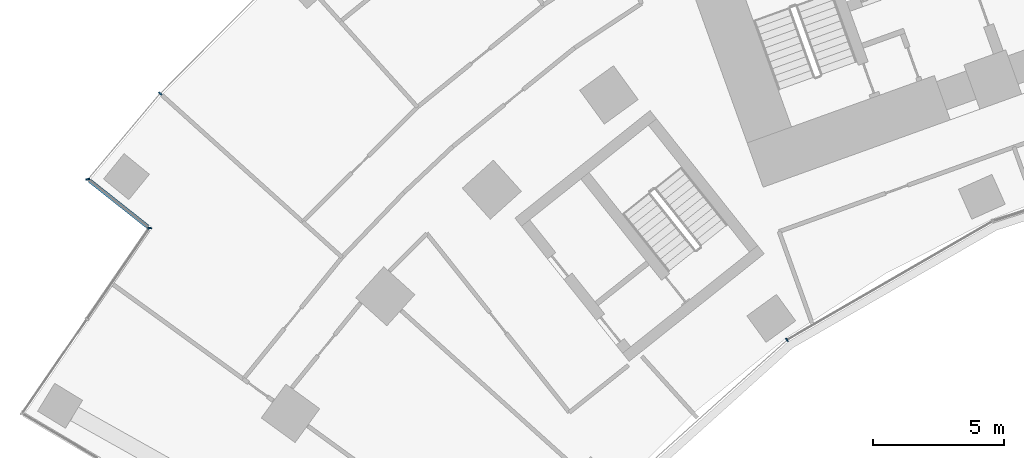
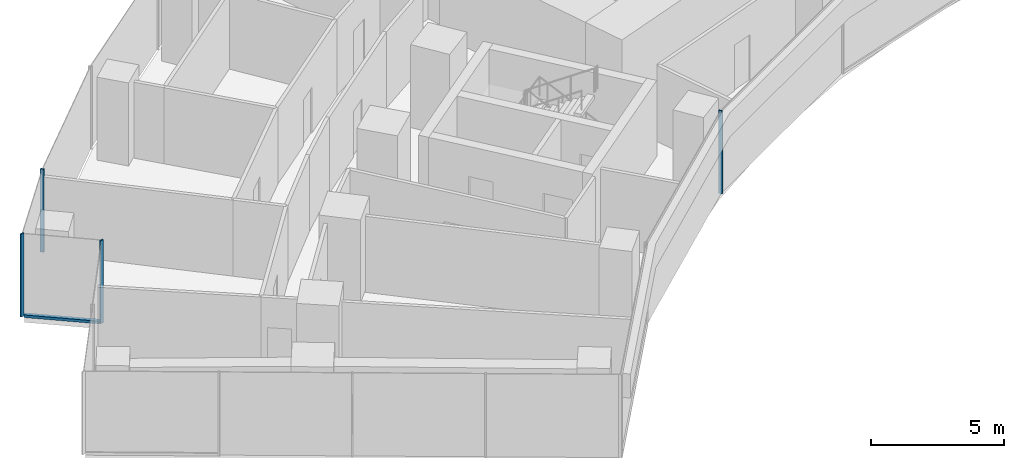
# One storey, part 3 of 21: 5 members, 4 elements without a shape of their own.
"""IFC4 building model written with IfcOpenShell, lengths in metres."""

import ifcopenshell
import ifcopenshell.guid

model = None  # the IFC model being written
_history = None  # IfcOwnerHistory: only IFC2X3 demands one
_inside = {}  # id of a spatial element -> (the spatial element, [elements in it])
_under = {}  # id of a project, library or spatial element -> (it, [spatial elements below it])
_declared = {}  # id of a project -> (the project, [libraries it declares])
_typed = {}  # id of a type object -> (the type object, [elements of that type])
_made_of = {}  # id of a material, layer set ... -> (it, [elements and type objects made of it])


def new_model(schema):
    """Start an empty IFC model of exactly this schema.

    Asked for "IFC4X3", IfcOpenShell would pick the latest addendum, in which some entities
    have other attributes; the version numbers below select the first issue.
    IFC2X3 requires an IfcOwnerHistory on every rooted entity: one is made here for all.
    """
    global model, _history
    if schema == "IFC4X3":
        model = ifcopenshell.file(schema_version=(4, 3, 0, 0))
    else:
        model = ifcopenshell.file(schema=schema)
    _inside.clear()
    _under.clear()
    _declared.clear()
    _typed.clear()
    _made_of.clear()
    _history = None
    if model.schema == "IFC2X3":
        org = make("IfcOrganization", Name="unknown")
        user = make(
            "IfcPersonAndOrganization",
            ThePerson=make("IfcPerson", FamilyName="unknown"),
            TheOrganization=org,
        )
        app = make(
            "IfcApplication",
            ApplicationDeveloper=org,
            Version="unknown",
            ApplicationFullName="unknown",
            ApplicationIdentifier="unknown",
        )
        _history = make(
            "IfcOwnerHistory",
            OwningUser=user,
            OwningApplication=app,
            ChangeAction="ADDED",
            CreationDate=0,
        )
    return model


def make(cls, **values):
    """One entity of the class cls with the attributes given. An attribute that is None is left unset."""
    return model.create_entity(
        cls, **{name: value for name, value in values.items() if value is not None}
    )


def rooted(cls, **values):
    """An entity with a GlobalId (a new one), such as an element, a storey or a relation."""
    return make(cls, GlobalId=ifcopenshell.guid.new(), OwnerHistory=_history, **values)


def si_unit(unit_type, name, prefix=None):
    """IfcSIUnit, for example si_unit("LENGTHUNIT", "METRE", prefix="MILLI")."""
    return make("IfcSIUnit", UnitType=unit_type, Prefix=prefix, Name=name)


def assignment(units):
    """IfcUnitAssignment: the units of a project."""
    return None if units is None else make("IfcUnitAssignment", Units=units)


def point(xyz):
    """IfcCartesianPoint."""
    return None if xyz is None else make("IfcCartesianPoint", Coordinates=xyz)


def direction(xyz):
    """IfcDirection."""
    return None if xyz is None else make("IfcDirection", DirectionRatios=xyz)


def frame(location, z_axis=None, x_axis=None):
    """IfcAxis2Placement3D, a coordinate frame: its origin and axes. An axis left out is left unset."""
    return make(
        "IfcAxis2Placement3D",
        Location=point(location),
        Axis=direction(z_axis),
        RefDirection=direction(x_axis),
    )


def frame_2d(location, x_axis=None):
    """IfcAxis2Placement2D, a coordinate frame in the plane: its origin and x axis."""
    return make(
        "IfcAxis2Placement2D", Location=point(location), RefDirection=direction(x_axis)
    )


def origin():
    """The frame at (0, 0, 0) with its axes left unset."""
    return frame((0.0, 0.0, 0.0))


def origin_2d():
    """The frame at (0, 0) in the plane with its x axis left unset."""
    return frame_2d((0.0, 0.0))


def place(relative_to, where):
    """IfcLocalPlacement: puts the frame where relative to a parent placement (None: the world)."""
    return make(
        "IfcLocalPlacement", PlacementRelTo=relative_to, RelativePlacement=where
    )


def context(
    kind, dimensions, precision=None, world=None, true_north=None, identifier=None
):
    """IfcGeometricRepresentationContext, for example the 3D "Model" context."""
    return make(
        "IfcGeometricRepresentationContext",
        ContextIdentifier=identifier,
        ContextType=kind,
        CoordinateSpaceDimension=dimensions,
        Precision=precision,
        WorldCoordinateSystem=world,
        TrueNorth=true_north,
    )


def subcontext(parent, identifier, kind, view, scale=None):
    """IfcGeometricRepresentationSubContext, for example "Body" below "Model"."""
    return make(
        "IfcGeometricRepresentationSubContext",
        ContextIdentifier=identifier,
        ContextType=kind,
        ParentContext=parent,
        TargetScale=scale,
        TargetView=view,
    )


def project(units=None, contexts=None):
    """IfcProject with its units and contexts."""
    return rooted(
        "IfcProject",
        Name="project",
        RepresentationContexts=contexts,
        UnitsInContext=assignment(units),
    )


def spatial(cls, under=None, at=None, **own):
    """A site, building, storey or space (cls), placed at a placement, below another one or the project."""
    s = rooted(cls, ObjectPlacement=at, **own)
    if under is not None:
        _under.setdefault(under.id(), (under, []))[1].append(s)
    return s


def profile(cls, at=None, kind="AREA", **sizes):
    """A parametric profile (cls). Its sizes go by their IFC names, for example OverallWidth=200.0."""
    return make(cls, ProfileType=kind, Position=at, **sizes)


def rectangle(**sizes):
    """IfcRectangleProfileDef."""
    return profile("IfcRectangleProfileDef", **sizes)


def extrude(swept, where, along, depth):
    """IfcExtrudedAreaSolid: the profile swept, set in the frame where, extruded along a direction by depth."""
    return make(
        "IfcExtrudedAreaSolid",
        SweptArea=swept,
        Position=where,
        ExtrudedDirection=direction(along),
        Depth=depth,
    )


def shape(context_of_items, identifier, shape_type, items):
    """IfcShapeRepresentation: the items that make up one representation, for example the "Body"."""
    return make(
        "IfcShapeRepresentation",
        ContextOfItems=context_of_items,
        RepresentationIdentifier=identifier,
        RepresentationType=shape_type,
        Items=items,
    )


def material(Name=None, Category=None):
    """IfcMaterial."""
    return make("IfcMaterial", Name=Name, Category=Category)


def layer(
    of_material, thickness, ventilated=None, Name=None, Category=None, Priority=None
):
    """IfcMaterialLayer: one layer of a wall or slab, of a material (None: an air gap)."""
    return make(
        "IfcMaterialLayer",
        Material=of_material,
        LayerThickness=thickness,
        IsVentilated=ventilated,
        Name=Name,
        Category=Category,
        Priority=Priority,
    )


def layer_set(layers, Name=None):
    """IfcMaterialLayerSet."""
    return make("IfcMaterialLayerSet", MaterialLayers=layers, LayerSetName=Name)


def material_profile(
    of_material, cross_section, Name=None, Category=None, Priority=None
):
    """IfcMaterialProfile: a cross section and its material."""
    return make(
        "IfcMaterialProfile",
        Name=Name,
        Material=of_material,
        Profile=cross_section,
        Priority=Priority,
        Category=Category,
    )


def profile_set(profiles, Name=None, composite=None):
    """IfcMaterialProfileSet."""
    return make(
        "IfcMaterialProfileSet",
        Name=Name,
        MaterialProfiles=profiles,
        CompositeProfile=composite,
    )


def made_of(thing, what):
    """Note that an element or type object is made of a material, layer set ...; save() writes the relation."""
    if what is not None:
        _made_of.setdefault(what.id(), (what, []))[1].append(thing)
    return thing


def type_object(cls, material=None, **own):
    """A type object (cls), such as IfcWallType, which elements share."""
    return made_of(rooted(cls, **own), material)


def element(
    cls,
    number,
    at=None,
    inside=None,
    cuts=None,
    type_object=None,
    material=None,
    context=None,
    identifier="Body",
    shape_type=None,
    held_by="IfcProductDefinitionShape",
    body=None,
    shapes=None,
    **own,
):
    """One element of the class cls, such as IfcWall. Its Tag is "e" and its number.

    at: its placement. inside: the storey or other place that contains it. cuts: it is an
    opening in that element (IfcRelVoidsElement). A single representation is given by context,
    identifier, shape_type and body (its items); several are given by shapes. held_by: the class
    of the entity that holds the representations. save() writes the other relations.
    """
    e = rooted(cls, Tag="e%d" % number, ObjectPlacement=at, **own)
    if body is not None:
        shapes = [shape(context, identifier, shape_type, body)]
    if shapes is not None:
        e.Representation = make(held_by, Representations=shapes)
    if inside is not None:
        _inside.setdefault(inside.id(), (inside, []))[1].append(e)
    if cuts is not None:
        rooted(
            "IfcRelVoidsElement", RelatingBuildingElement=cuts, RelatedOpeningElement=e
        )
    if type_object is not None:
        _typed.setdefault(type_object.id(), (type_object, []))[1].append(e)
    return made_of(e, material)


def aggregate(whole, parts):
    """IfcRelAggregates: a whole, such as a stair, and the parts it consists of."""
    return rooted("IfcRelAggregates", RelatingObject=whole, RelatedObjects=parts)


def save(model, path):
    """Write the relations noted so far, then the file.

    IfcRelAggregates (storeys below a building ...), IfcRelContainedInSpatialStructure (elements
    in a storey), IfcRelDefinesByType, IfcRelAssociatesMaterial and IfcRelDeclares: one each for
    every whole, place, type object, material and project.
    """
    for whole, parts in _under.values():
        aggregate(whole, parts)
    for where, things in _inside.values():
        rooted(
            "IfcRelContainedInSpatialStructure",
            RelatedElements=things,
            RelatingStructure=where,
        )
    for kind, things in _typed.values():
        rooted("IfcRelDefinesByType", RelatedObjects=things, RelatingType=kind)
    for what, things in _made_of.values():
        rooted("IfcRelAssociatesMaterial", RelatedObjects=things, RelatingMaterial=what)
    for by, libraries in _declared.values():
        rooted("IfcRelDeclares", RelatingContext=by, RelatedDefinitions=libraries)
    model.write(path)


model = new_model("IFC4")

# Units and contexts
model_context = context("Model", 3, precision=1e-05, world=origin(), true_north=direction((0.0, 1.0)))
body_context = subcontext(model_context, "Body", "Model", "MODEL_VIEW")
ifc_project = project(units=[si_unit("LENGTHUNIT", "METRE"), si_unit("AREAUNIT", "SQUARE_METRE"), si_unit("VOLUMEUNIT", "CUBIC_METRE"), si_unit("PLANEANGLEUNIT", "RADIAN"), si_unit("MASSUNIT", "GRAM", prefix="KILO")], contexts=[model_context])

# Site, building, storey
site_placement = place(None, origin())
site = spatial("IfcSite", under=ifc_project, at=site_placement, CompositionType="ELEMENT")
building_placement = place(site_placement, origin())
building = spatial("IfcBuilding", under=site, at=building_placement, Name="Stone Belt Terrace Tower", CompositionType="ELEMENT")
storey_placement = place(building_placement, frame((0.0, 0.0, 37.60009765625)))
storey = spatial("IfcBuildingStorey", under=building, at=storey_placement, Name="L08", CompositionType="ELEMENT", Elevation=37.60009765625)

# Curtain wall, member
ifc_material = material(Name="Aluminium 6063-T6 anodised frame", Category="aluminium")
ifc_layer_1 = layer(ifc_material, 0.14990234375)
ifc_layer_set_1 = layer_set([ifc_layer_1], Name="CW-A unitised convex-face curtain wall")
curtain_wall_type_1 = type_object("IfcCurtainWallType", Name="CW-A unitised convex-face curtain wall", PredefinedType="NOTDEFINED", material=ifc_layer_set_1)
curtain_wall_1_placement = place(storey_placement, origin())
curtain_wall_1 = element("IfcCurtainWall", 1, at=curtain_wall_1_placement, inside=storey, type_object=curtain_wall_type_1, Name="CW-A convex face L08", PredefinedType="NOTDEFINED")
ifc_material_profile_1 = material_profile(ifc_material, rectangle(XDim=0.14990234375, YDim=0.06005859375, at=origin_2d()), Name="Aluminium 6063-T6 60x150")
ifc_profile_set_1 = profile_set([ifc_material_profile_1], Name="Aluminium 6063-T6 anodised frame")
member_type_1 = type_object("IfcMemberType", Name="CW-A mullion 60 x 150", PredefinedType="MULLION", material=ifc_profile_set_1)
member_1_placement = place(storey_placement, frame((-49.474365234375, 44.548095703125, 0.0), z_axis=(0.0, 0.0, 1.0), x_axis=(0.73617076011, -0.676795842155, 0.0)))
member_1 = element("IfcMember", 2, at=member_1_placement, type_object=member_type_1, Name="CW-A mullion 18", PredefinedType="MULLION", context=body_context, shape_type="SweptSolid", body=[
    extrude(rectangle(XDim=0.14990234375, YDim=0.06005859375, at=origin_2d()), origin(), (0.0, 0.0, 1.0), 3.7998046875),
])
aggregate(curtain_wall_1, [member_1])

ifc_layer_2 = layer(ifc_material, 0.14990234375)
ifc_layer_set_2 = layer_set([ifc_layer_2], Name="CW-B unitised concave-face curtain wall")
curtain_wall_type_2 = type_object("IfcCurtainWallType", Name="CW-B unitised concave-face curtain wall", PredefinedType="NOTDEFINED", material=ifc_layer_set_2)
curtain_wall_2_placement = place(storey_placement, origin())
curtain_wall_2 = element("IfcCurtainWall", 3, at=curtain_wall_2_placement, inside=storey, type_object=curtain_wall_type_2, Name="CW-B concave face L08", PredefinedType="NOTDEFINED")
ifc_material_profile_2 = material_profile(ifc_material, rectangle(XDim=0.14990234375, YDim=0.050048828125, at=origin_2d()), Name="Aluminium 6063-T6 50x150")
ifc_profile_set_2 = profile_set([ifc_material_profile_2], Name="Aluminium 6063-T6 anodised frame")
member_type_2 = type_object("IfcMemberType", Name="CW-B mullion 50 x 150", PredefinedType="MULLION", material=ifc_profile_set_2)
member_2_placement = place(storey_placement, frame((-25.5244140625, 35.13134765625, 0.0), z_axis=(0.0, 0.0, 1.0), x_axis=(-0.587785252292, 0.809016994375, 0.0)))
member_2 = element("IfcMember", 4, at=member_2_placement, type_object=member_type_2, Name="CW-B mullion 3", PredefinedType="MULLION", context=body_context, shape_type="SweptSolid", body=[
    extrude(rectangle(XDim=0.14990234375, YDim=0.050048828125, at=origin_2d()), origin(), (0.0, 0.0, 1.0), 3.7998046875),
])
aggregate(curtain_wall_2, [member_2])

ifc_layer_3 = layer(ifc_material, 0.14990234375)
ifc_layer_set_3 = layer_set([ifc_layer_3], Name="CW-C stick curtain wall, horn ends and notches")
curtain_wall_type_3 = type_object("IfcCurtainWallType", Name="CW-C stick curtain wall, horn ends and notches", PredefinedType="NOTDEFINED", material=ifc_layer_set_3)
curtain_wall_3_placement = place(storey_placement, origin())
curtain_wall_3 = element("IfcCurtainWall", 5, at=curtain_wall_3_placement, inside=storey, type_object=curtain_wall_type_3, Name="CW-C notch face L08", PredefinedType="NOTDEFINED")
ifc_material_profile_3 = material_profile(ifc_material, rectangle(XDim=0.14990234375, YDim=0.06005859375, at=origin_2d()), Name="Aluminium 6063-T6 60x150")
ifc_profile_set_3 = profile_set([ifc_material_profile_3], Name="Aluminium 6063-T6 anodised frame")
member_type_3 = type_object("IfcMemberType", Name="CW-C mullion 60 x 150", PredefinedType="MULLION", material=ifc_profile_set_3)
member_3_placement = place(storey_placement, frame((-52.24072265625, 41.27294921875, 0.0), z_axis=(0.0, 0.0, 1.0), x_axis=(0.995023084308, 0.099644677203, 0.0)))
member_3 = element("IfcMember", 6, at=member_3_placement, type_object=member_type_3, Name="CW-C mullion 1", PredefinedType="MULLION", context=body_context, shape_type="SweptSolid", body=[
    extrude(rectangle(XDim=0.14990234375, YDim=0.06005859375, at=origin_2d()), origin(), (0.0, 0.0, 1.0), 3.7998046875),
])

curtain_wall_4_placement = place(storey_placement, origin())
curtain_wall_4 = element("IfcCurtainWall", 7, at=curtain_wall_4_placement, inside=storey, type_object=curtain_wall_type_3, Name="CW-C notch face L08", PredefinedType="NOTDEFINED")
member_4_placement = place(storey_placement, frame((-49.88330078125, 39.406005859375, 0.0), z_axis=(0.0, 0.0, 1.0), x_axis=(0.988851375203, 0.14890586879, 0.0)))
member_4 = element("IfcMember", 8, at=member_4_placement, type_object=member_type_3, Name="CW-C mullion 1", PredefinedType="MULLION", context=body_context, shape_type="SweptSolid", body=[
    extrude(rectangle(XDim=0.14990234375, YDim=0.06005859375, at=origin_2d()), origin(), (0.0, 0.0, 1.0), 3.7998046875),
])
aggregate(curtain_wall_4, [member_4])

# Member
ifc_material_profile_4 = material_profile(ifc_material, rectangle(XDim=0.14990234375, YDim=0.1201171875, at=origin_2d()), Name="Aluminium 6063-T6 150x120")
ifc_profile_set_4 = profile_set([ifc_material_profile_4], Name="Aluminium 6063-T6 anodised frame")
member_type_4 = type_object("IfcMemberType", Name="CW-C transom 120 x 150", PredefinedType="USERDEFINED", material=ifc_profile_set_4)
member_5_placement = place(storey_placement, frame((-52.18212890625, 41.2265625, 0.059814453125), z_axis=(0.783966177893, -0.620803537297, 0.0), x_axis=(0.620803537297, 0.783966177893, 0.0)))
member_5 = element("IfcMember", 9, at=member_5_placement, type_object=member_type_4, Name="CW-C transom 1.1", ObjectType="TRANSOM", PredefinedType="USERDEFINED", context=body_context, shape_type="SweptSolid", body=[
    extrude(rectangle(XDim=0.14990234375, YDim=0.1201171875, at=origin_2d()), origin(), (0.0, 0.0, 1.0), 2.859375),
])

aggregate(curtain_wall_3, [member_3, member_5])

save(model, "model.ifc")
